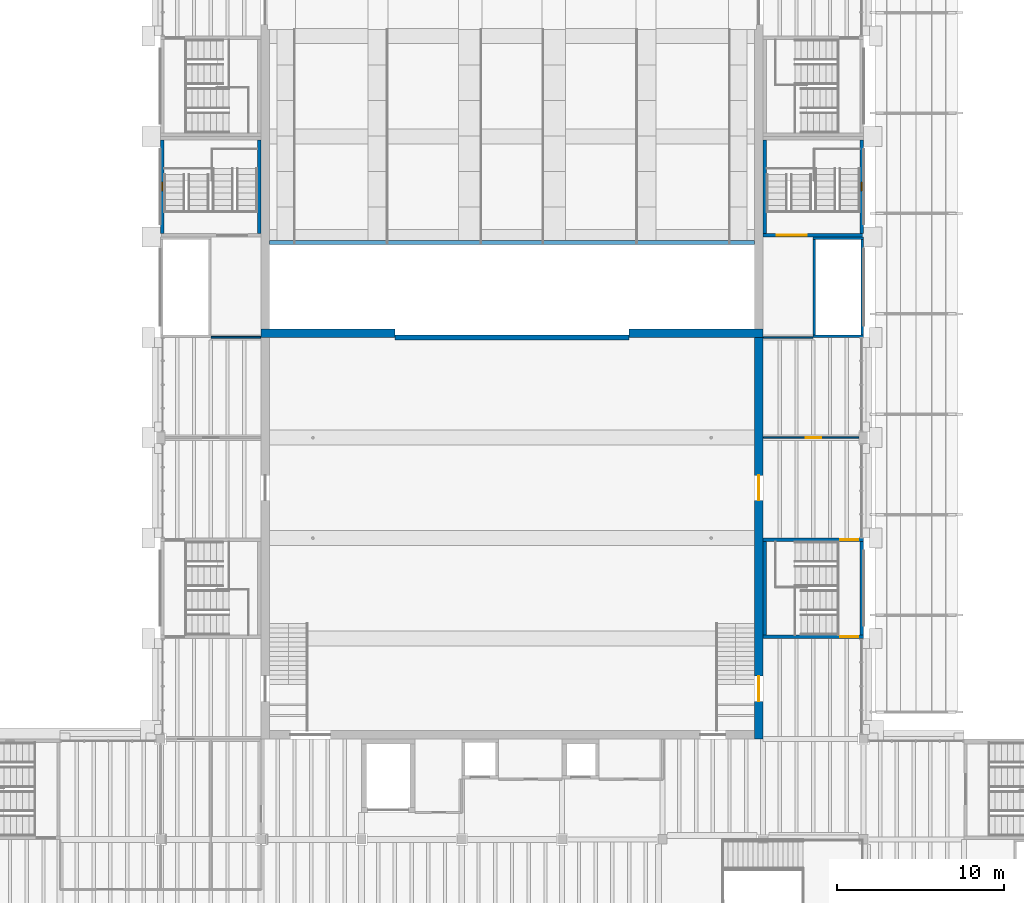
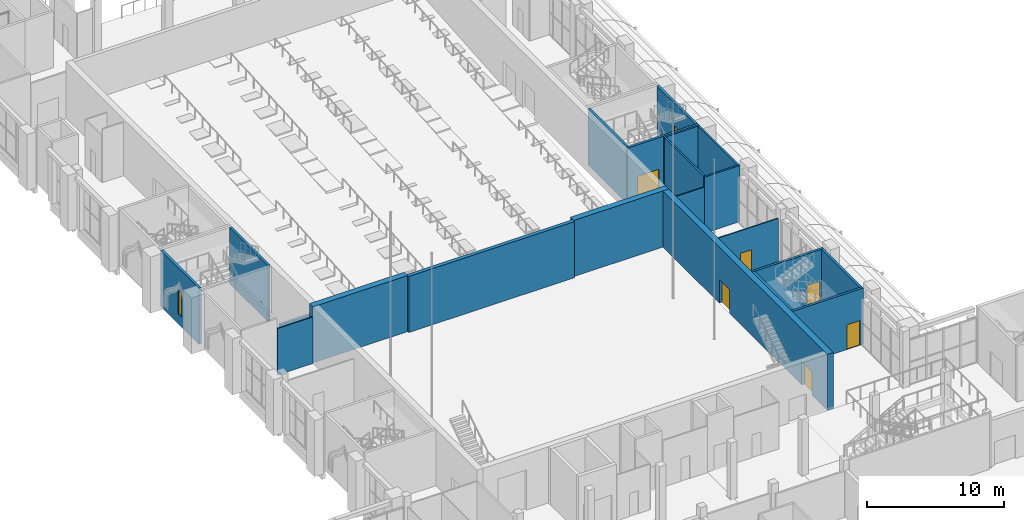
# One storey, part 40 of 80: 21 walls, 6 doors, 2 windows, 8 openings.
"""IFC4 building model written with IfcOpenShell, lengths in metres."""

from ifc_helpers import new_model, si_unit, direction, frame, frame_2d, origin, place, context, subcontext, project, spatial, rectangle, extrude, material, layer, layer_set, type_object, element, fill, save


model = new_model("IFC4")

# Units and contexts
model_context = context("Model", 3, precision=1e-05, world=origin(), true_north=direction((0.0, 1.0)))
body_context = subcontext(model_context, "Body", "Model", "MODEL_VIEW")
ifc_project = project(units=[si_unit("LENGTHUNIT", "METRE"), si_unit("AREAUNIT", "SQUARE_METRE"), si_unit("VOLUMEUNIT", "CUBIC_METRE"), si_unit("PLANEANGLEUNIT", "RADIAN"), si_unit("MASSUNIT", "GRAM", prefix="KILO")], contexts=[model_context])

# Site, building, storey
site_placement = place(None, origin())
site = spatial("IfcSite", under=ifc_project, at=site_placement, CompositionType="ELEMENT")
building_placement = place(site_placement, origin())
building = spatial("IfcBuilding", under=site, at=building_placement, Name="Saffron Lane Theatres", CompositionType="ELEMENT")
storey_placement = place(building_placement, frame((0.0, 0.0, 7.0)))
storey = spatial("IfcBuildingStorey", under=building, at=storey_placement, Name="L01", CompositionType="ELEMENT", Elevation=7.0)

# Walls
ifc_material_1 = material(Name="Plasterboard")
ifc_layer_1 = layer(ifc_material_1, 0.026, Name="lining")
ifc_material_2 = material(Name="Mineral wool insulation")
ifc_layer_2 = layer(ifc_material_2, 0.087, Name="stud zone")
ifc_material_3 = material(Name="Air cavity", Category="air")
ifc_layer_3 = layer(ifc_material_3, 0.1, ventilated=True, Name="air gap")
ifc_layer_4 = layer(ifc_material_2, 0.061, Name="stud zone")
ifc_layer_5 = layer(ifc_material_1, 0.026, Name="lining")
ifc_layer_set_1 = layer_set([ifc_layer_1, ifc_layer_2, ifc_layer_3, ifc_layer_4, ifc_layer_5], Name="Acoustic plasterboard wall")
wall_type_1 = type_object("IfcWallType", Name="IN-ACOUSTIC WALL 300", PredefinedType="PARTITIONING", material=ifc_layer_set_1)
wall_1_placement = place(storey_placement, frame((26.02001953125, 54.0, 0.0), z_axis=(0.0, 0.0, 1.0), x_axis=(1.0, 0.0, 0.0)))
element("IfcWall", 1, at=wall_1_placement, inside=storey, type_object=wall_type_1, Name="PW-L01-012", PredefinedType="PARTITIONING", context=body_context, shape_type="SweptSolid", body=[
    extrude(rectangle(XDim=13.9599609375, YDim=0.300048828125, at=frame_2d((6.97998046875, 0.0))), origin(), (0.0, 0.0, 1.0), 5.0),
])
ifc_material_4 = material(Name="Masonry block partition", Category="masonry")
ifc_layer_6 = layer(ifc_material_4, 0.110107421875)
ifc_layer_set_2 = layer_set([ifc_layer_6], Name="Masonry block partition")
wall_type_2 = type_object("IfcWallType", Name="IN-BLOCK PARTITION 110", PredefinedType="PARTITIONING", material=ifc_layer_set_2)
wall_2_placement = place(storey_placement, frame((15.02001953125, 54.0, 0.0), z_axis=(0.0, 0.0, 1.0), x_axis=(1.0, 0.0, 0.0)))
element("IfcWall", 2, at=wall_2_placement, inside=storey, type_object=wall_type_2, Name="PW-L01-029", PredefinedType="PARTITIONING", context=body_context, shape_type="SweptSolid", body=[
    extrude(rectangle(XDim=2.9599609375, YDim=0.110107421875, at=frame_2d((1.47998046875, 0.0))), origin(), (0.0, 0.0, 1.0), 4.14990234375),
])

# Wall, opening, door
ifc_material_5 = material(Name="Plasterboard on 90 mm steel studs", Category="steel")
ifc_layer_7 = layer(ifc_material_5, 0.090087890625)
ifc_layer_set_3 = layer_set([ifc_layer_7], Name="Plasterboard on 90 mm steel studs")
wall_type_3 = type_object("IfcWallType", Name="IN-STUD PARTITION 090", PredefinedType="PARTITIONING", material=ifc_layer_set_3)
wall_3_placement = place(storey_placement, frame((48.02001953125, 48.0, 0.0), z_axis=(0.0, 0.0, 1.0), x_axis=(1.0, 0.0, 0.0)))
wall_3 = element("IfcWall", 3, at=wall_3_placement, inside=storey, type_object=wall_type_3, Name="PW-L01-092", PredefinedType="PARTITIONING", context=body_context, shape_type="SweptSolid", body=[
    extrude(rectangle(XDim=5.7099609375, YDim=0.090087890625, at=frame_2d((2.85498046875, 0.0))), origin(), (0.0, 0.0, 1.0), 4.050048828125),
])
opening_1_placement = place(wall_3_placement, frame((2.530029296875, 0.0, 0.0)))
opening_1 = element("IfcOpeningElement", 4, at=opening_1_placement, cuts=wall_3, Name="Opening D01-16", PredefinedType="OPENING", context=body_context, shape_type="SweptSolid", body=[
    extrude(rectangle(XDim=0.919921875, YDim=2.0400390625, at=frame_2d((0.4599609375, 1.02001953125))), frame((0.0, 0.05517578125, 0.0), z_axis=(0.0, -1.0, 0.0), x_axis=(1.0, 0.0, 0.0)), (0.0, 0.0, 1.0), 0.110107421875),
])
ifc_material_6 = material(Name="Timber door leaf", Category="wood")
door_type_1 = type_object("IfcDoorType", Name="IN-DOOR 920x2040", OperationType="NOTDEFINED", PredefinedType="DOOR", material=ifc_material_6)
door_1_placement = place(opening_1_placement, origin())
door_1 = element("IfcDoor", 5, at=door_1_placement, inside=storey, type_object=door_type_1, Name="D01-16", OperationType="SINGLE_SWING_RIGHT", OverallHeight=2.0400390625, OverallWidth=0.919921875, PredefinedType="DOOR", context=body_context, shape_type="SweptSolid", body=[
    extrude(rectangle(XDim=0.919921875, YDim=2.0400390625, at=frame_2d((0.4599609375, 1.02001953125))), frame((0.0, 0.02490234375, 0.0), z_axis=(0.0, -1.0, 0.0), x_axis=(1.0, 0.0, 0.0)), (0.0, 0.0, 1.0), 0.050048828125),
])
fill(opening_1, door_1)

# Walls
wall_4_placement = place(storey_placement, frame((48.02001953125, 54.0, 0.0), z_axis=(0.0, 0.0, 1.0), x_axis=(1.0, 0.0, 0.0)))
element("IfcWall", 6, at=wall_4_placement, inside=storey, type_object=wall_type_3, Name="PW-L01-093", PredefinedType="PARTITIONING", context=body_context, shape_type="SweptSolid", body=[
    extrude(rectangle(XDim=2.9599609375, YDim=0.090087890625, at=frame_2d((1.47998046875, 0.0))), origin(), (0.0, 0.0, 1.0), 4.14990234375),
])
ifc_material_7 = material(Name="Concrete N50 (50 MPa)", Category="concrete")
ifc_layer_8 = layer(ifc_material_7, 0.22509765625)
ifc_layer_set_4 = layer_set([ifc_layer_8], Name="Concrete N50 (50 MPa)")
wall_type_4 = type_object("IfcWallType", Name="RC-BARRIER 225", PredefinedType="SOLIDWALL", material=ifc_layer_set_4)
wall_5_placement = place(storey_placement, frame((18.5, 59.66259765625, -1.238037109375), z_axis=(0.0, 0.0, 1.0), x_axis=(1.0, 0.0, 0.0)))
element("IfcWall", 7, at=wall_5_placement, inside=storey, type_object=wall_type_4, Name="W-PITBARRIER-L01", PredefinedType="SOLIDWALL", context=body_context, shape_type="SweptSolid", body=[
    extrude(rectangle(XDim=29.0, YDim=0.22509765625, at=frame_2d((14.5, 0.0))), origin(), (0.0, 0.0, 1.0), 1.10009765625),
])
ifc_material_8 = material(Name="Concrete N50 (50 MPa)", Category="concrete")
ifc_layer_9 = layer(ifc_material_8, 0.14990234375)
ifc_layer_set_5 = layer_set([ifc_layer_9], Name="Concrete N50 (50 MPa)")
wall_type_5 = type_object("IfcWallType", Name="RC-CORE 150", PredefinedType="SHEAR", material=ifc_layer_set_5)
for number, where, z_axis, x_axis, name in (
    (8, (51.0, 59.925048828125, 0.0), (0.0, 0.0, 1.0), (1.0, 0.0, 0.0), "W-R4-N-L01"),
    (9, (51.0, 54.074951171875, 0.0), (0.0, 0.0, 1.0), (1.0, 0.0, 0.0), "W-R4-S-L01"),
):
    element("IfcWall", number, at=place(storey_placement, frame(where, z_axis=z_axis, x_axis=x_axis)), inside=storey, type_object=wall_type_5, Name=name, PredefinedType="SHEAR", context=body_context, shape_type="SweptSolid", body=[
        extrude(rectangle(XDim=3.0, YDim=0.14990234375, at=frame_2d((1.5, 0.0))), origin(), (0.0, 0.0, 1.0), 5.0),
    ])
wall_6_placement = place(storey_placement, frame((51.074951171875, 54.14990234375, 0.0), z_axis=(0.0, 0.0, 1.0), x_axis=(0.0, 1.0, 0.0)))
element("IfcWall", 10, at=wall_6_placement, inside=storey, type_object=wall_type_5, Name="W-R4-W-L01", PredefinedType="SHEAR", context=body_context, shape_type="SweptSolid", body=[
    extrude(rectangle(XDim=5.7001953125, YDim=0.14990234375, at=frame_2d((2.85009765625, 0.0))), origin(), (0.0, 0.0, 1.0), 5.0),
])
ifc_material_9 = material(Name="Concrete N50 (50 MPa)", Category="concrete")
ifc_layer_10 = layer(ifc_material_9, 0.199951171875)
ifc_layer_set_6 = layer_set([ifc_layer_10], Name="Concrete N50 (50 MPa)")
wall_type_6 = type_object("IfcWallType", Name="RC-CORE 200", PredefinedType="SHEAR", material=ifc_layer_set_6)
wall_7_placement = place(storey_placement, frame((17.89990234375, 60.199951171875, 0.0), z_axis=(0.0, 0.0, 1.0), x_axis=(0.0, 1.0, 0.0)))
element("IfcWall", 11, at=wall_7_placement, inside=storey, type_object=wall_type_6, Name="W-ST10-E-L01", PredefinedType="SHEAR", context=body_context, shape_type="SweptSolid", body=[
    extrude(rectangle(XDim=5.60009765625, YDim=0.199951171875, at=frame_2d((2.800048828125, 0.0))), origin(), (0.0, 0.0, 1.0), 5.0),
])

# Wall, opening, door
wall_8_placement = place(storey_placement, frame((48.0, 60.10009765625, 0.0), z_axis=(0.0, 0.0, 1.0), x_axis=(1.0, 0.0, 0.0)))
wall_8 = element("IfcWall", 12, at=wall_8_placement, inside=storey, type_object=wall_type_6, Name="W-ST11-S-L01", PredefinedType="SHEAR", context=body_context, shape_type="SweptSolid", body=[
    extrude(rectangle(XDim=6.0, YDim=0.199951171875, at=frame_2d((3.0, 0.0))), origin(), (0.0, 0.0, 1.0), 5.0),
])
opening_2_placement = place(wall_8_placement, frame((0.824951171875, 0.0, 0.0)))
opening_2 = element("IfcOpeningElement", 13, at=opening_2_placement, cuts=wall_8, Name="Opening D01-38", PredefinedType="OPENING", context=body_context, shape_type="SweptSolid", body=[
    extrude(rectangle(XDim=1.800048828125, YDim=2.199951171875, at=frame_2d((0.89990234375, 1.10009765625))), frame((0.0, 0.10986328125, 0.0), z_axis=(0.0, -1.0, 0.0), x_axis=(1.0, 0.0, 0.0)), (0.0, 0.0, 1.0), 0.219970703125),
])
ifc_material_10 = material(Name="Steel faced fire door leaf", Category="steel")
door_type_2 = type_object("IfcDoorType", Name="IN-DOOR 1800x2200 FD120", OperationType="DOUBLE_DOOR_SINGLE_SWING", PredefinedType="DOOR", material=ifc_material_10)
door_2_placement = place(opening_2_placement, origin())
door_2 = element("IfcDoor", 14, at=door_2_placement, inside=storey, type_object=door_type_2, Name="D01-38", OperationType="DOUBLE_DOOR_SINGLE_SWING", OverallHeight=2.199951171875, OverallWidth=1.800048828125, PredefinedType="DOOR", context=body_context, shape_type="SweptSolid", body=[
    extrude(rectangle(XDim=1.800048828125, YDim=2.199951171875, at=frame_2d((0.89990234375, 1.10009765625))), frame((0.0, 0.02490234375, 0.0), z_axis=(0.0, -1.0, 0.0), x_axis=(1.0, 0.0, 0.0)), (0.0, 0.0, 1.0), 0.050048828125),
])
fill(opening_2, door_2)

# Wall
wall_9_placement = place(storey_placement, frame((48.10009765625, 60.199951171875, 0.0), z_axis=(0.0, 0.0, 1.0), x_axis=(0.0, 1.0, 0.0)))
element("IfcWall", 15, at=wall_9_placement, inside=storey, type_object=wall_type_6, Name="W-ST11-W-L01", PredefinedType="SHEAR", context=body_context, shape_type="SweptSolid", body=[
    extrude(rectangle(XDim=5.60009765625, YDim=0.199951171875, at=frame_2d((2.800048828125, 0.0))), origin(), (0.0, 0.0, 1.0), 5.0),
])

# Wall, opening, door
wall_10_placement = place(storey_placement, frame((48.0, 41.89990234375, 0.0), z_axis=(0.0, 0.0, 1.0), x_axis=(1.0, 0.0, 0.0)))
wall_10 = element("IfcWall", 16, at=wall_10_placement, inside=storey, type_object=wall_type_6, Name="W-ST6-N-L01", PredefinedType="SHEAR", context=body_context, shape_type="SweptSolid", body=[
    extrude(rectangle(XDim=6.0, YDim=0.199951171875, at=frame_2d((3.0, 0.0))), origin(), (0.0, 0.0, 1.0), 5.0),
])
opening_3_placement = place(wall_10_placement, frame((4.60009765625, 0.0, 0.0)))
opening_3 = element("IfcOpeningElement", 17, at=opening_3_placement, cuts=wall_10, Name="Opening D01-42", PredefinedType="OPENING", context=body_context, shape_type="SweptSolid", body=[
    extrude(rectangle(XDim=1.10009765625, YDim=2.199951171875, at=frame_2d((0.550048828125, 1.10009765625))), frame((0.0, 0.10986328125, 0.0), z_axis=(0.0, -1.0, 0.0), x_axis=(1.0, 0.0, 0.0)), (0.0, 0.0, 1.0), 0.219970703125),
])
ifc_material_11 = material(Name="Steel faced fire door leaf", Category="steel")
door_type_3 = type_object("IfcDoorType", Name="IN-DOOR 1100x2200 FD120", OperationType="NOTDEFINED", PredefinedType="DOOR", material=ifc_material_11)
door_3_placement = place(opening_3_placement, frame((1.10009765625, 0.0, 0.0), z_axis=(0.0, 0.0, 1.0), x_axis=(-1.0, 0.0, 0.0)))
door_3 = element("IfcDoor", 18, at=door_3_placement, inside=storey, type_object=door_type_3, Name="D01-42", OperationType="SINGLE_SWING_RIGHT", OverallHeight=2.199951171875, OverallWidth=1.10009765625, PredefinedType="DOOR", context=body_context, shape_type="SweptSolid", body=[
    extrude(rectangle(XDim=1.10009765625, YDim=2.199951171875, at=frame_2d((0.550048828125, 1.10009765625))), frame((0.0, 0.02490234375, 0.0), z_axis=(0.0, -1.0, 0.0), x_axis=(1.0, 0.0, 0.0)), (0.0, 0.0, 1.0), 0.050048828125),
])
fill(opening_3, door_3)

wall_11_placement = place(storey_placement, frame((48.0, 36.10009765625, 0.0), z_axis=(0.0, 0.0, 1.0), x_axis=(1.0, 0.0, 0.0)))
wall_11 = element("IfcWall", 19, at=wall_11_placement, inside=storey, type_object=wall_type_6, Name="W-ST6-S-L01", PredefinedType="SHEAR", context=body_context, shape_type="SweptSolid", body=[
    extrude(rectangle(XDim=6.0, YDim=0.199951171875, at=frame_2d((3.0, 0.0))), origin(), (0.0, 0.0, 1.0), 5.0),
])
opening_4_placement = place(wall_11_placement, frame((4.60009765625, 0.0, 0.0)))
opening_4 = element("IfcOpeningElement", 20, at=opening_4_placement, cuts=wall_11, Name="Opening D01-41", PredefinedType="OPENING", context=body_context, shape_type="SweptSolid", body=[
    extrude(rectangle(XDim=1.10009765625, YDim=2.199951171875, at=frame_2d((0.550048828125, 1.10009765625))), frame((0.0, 0.10986328125, 0.0), z_axis=(0.0, -1.0, 0.0), x_axis=(1.0, 0.0, 0.0)), (0.0, 0.0, 1.0), 0.219970703125),
])
door_4_placement = place(opening_4_placement, origin())
door_4 = element("IfcDoor", 21, at=door_4_placement, inside=storey, type_object=door_type_3, Name="D01-41", OperationType="SINGLE_SWING_LEFT", OverallHeight=2.199951171875, OverallWidth=1.10009765625, PredefinedType="DOOR", context=body_context, shape_type="SweptSolid", body=[
    extrude(rectangle(XDim=1.10009765625, YDim=2.199951171875, at=frame_2d((0.550048828125, 1.10009765625))), frame((0.0, 0.02490234375, 0.0), z_axis=(0.0, -1.0, 0.0), x_axis=(1.0, 0.0, 0.0)), (0.0, 0.0, 1.0), 0.050048828125),
])
fill(opening_4, door_4)

# Walls
wall_12_placement = place(storey_placement, frame((48.10009765625, 36.199951171875, 0.0), z_axis=(0.0, 0.0, 1.0), x_axis=(0.0, 1.0, 0.0)))
element("IfcWall", 22, at=wall_12_placement, inside=storey, type_object=wall_type_6, Name="W-ST6-W-L01", PredefinedType="SHEAR", context=body_context, shape_type="SweptSolid", body=[
    extrude(rectangle(XDim=5.60009765625, YDim=0.199951171875, at=frame_2d((2.800048828125, 0.0))), origin(), (0.0, 0.0, 1.0), 5.0),
])
ifc_material_12 = material(Name="Concrete N50 (50 MPa)", Category="concrete")
ifc_layer_11 = layer(ifc_material_12, 0.14990234375)
ifc_layer_set_7 = layer_set([ifc_layer_11], Name="Concrete N50 (50 MPa)")
wall_type_7 = type_object("IfcWallType", Name="RC-CORE EXTERNAL 150", PredefinedType="SHEAR", material=ifc_layer_set_7)
wall_13_placement = place(storey_placement, frame((53.925048828125, 54.14990234375, 0.0), z_axis=(0.0, 0.0, 1.0), x_axis=(0.0, 1.0, 0.0)))
element("IfcWall", 23, at=wall_13_placement, inside=storey, type_object=wall_type_7, Name="W-R4-E-L01", PredefinedType="SHEAR", context=body_context, shape_type="SweptSolid", body=[
    extrude(rectangle(XDim=5.7001953125, YDim=0.14990234375, at=frame_2d((2.85009765625, 0.0))), origin(), (0.0, 0.0, 1.0), 5.0),
])

# Wall, opening, window
ifc_material_13 = material(Name="Concrete N50 (50 MPa)", Category="concrete")
ifc_layer_12 = layer(ifc_material_13, 0.199951171875)
ifc_layer_set_8 = layer_set([ifc_layer_12], Name="Concrete N50 (50 MPa)")
wall_type_8 = type_object("IfcWallType", Name="RC-CORE EXTERNAL 200", PredefinedType="SHEAR", material=ifc_layer_set_8)
wall_14_placement = place(storey_placement, frame((12.10009765625, 60.199951171875, 0.0), z_axis=(0.0, 0.0, 1.0), x_axis=(0.0, 1.0, 0.0)))
wall_14 = element("IfcWall", 24, at=wall_14_placement, inside=storey, type_object=wall_type_8, Name="W-ST10-W-L01", PredefinedType="SHEAR", context=body_context, shape_type="SweptSolid", body=[
    extrude(rectangle(XDim=5.60009765625, YDim=0.199951171875, at=frame_2d((2.800048828125, 0.0))), origin(), (0.0, 0.0, 1.0), 5.0),
])
opening_5_placement = place(wall_14_placement, frame((2.550048828125, 0.0, 0.89990234375)))
opening_5 = element("IfcOpeningElement", 25, at=opening_5_placement, cuts=wall_14, Name="Opening WN01-011", PredefinedType="OPENING", context=body_context, shape_type="SweptSolid", body=[
    extrude(rectangle(XDim=0.5, YDim=2.10009765625, at=frame_2d((0.25, 1.050048828125))), frame((0.0, 0.10986328125, 0.0), z_axis=(0.0, -1.0, 0.0), x_axis=(1.0, 0.0, 0.0)), (0.0, 0.0, 1.0), 0.219970703125),
])
ifc_material_14 = material(Name="Aluminium", Category="aluminium")
window_type = type_object("IfcWindowType", Name="EX-WINDOW 500x2100", PartitioningType="SINGLE_PANEL", PredefinedType="WINDOW", material=ifc_material_14)
window_1_placement = place(opening_5_placement, origin())
window_1 = element("IfcWindow", 26, at=window_1_placement, inside=storey, type_object=window_type, Name="Stair light ST10 L01", OverallHeight=2.10009765625, OverallWidth=0.5, PartitioningType="SINGLE_PANEL", PredefinedType="WINDOW", context=body_context, shape_type="SweptSolid", body=[
    extrude(rectangle(XDim=0.5, YDim=2.10009765625, at=frame_2d((0.25, 1.050048828125))), frame((0.0, 0.030029296875, 0.0), z_axis=(0.0, -1.0, 0.0), x_axis=(1.0, 0.0, 0.0)), (0.0, 0.0, 1.0), 0.06005859375),
])
fill(opening_5, window_1)

wall_15_placement = place(storey_placement, frame((53.89990234375, 60.199951171875, 0.0), z_axis=(0.0, 0.0, 1.0), x_axis=(0.0, 1.0, 0.0)))
wall_15 = element("IfcWall", 27, at=wall_15_placement, inside=storey, type_object=wall_type_8, Name="W-ST11-E-L01", PredefinedType="SHEAR", context=body_context, shape_type="SweptSolid", body=[
    extrude(rectangle(XDim=5.60009765625, YDim=0.199951171875, at=frame_2d((2.800048828125, 0.0))), origin(), (0.0, 0.0, 1.0), 5.0),
])
opening_6_placement = place(wall_15_placement, frame((2.550048828125, 0.0, 0.89990234375)))
opening_6 = element("IfcOpeningElement", 28, at=opening_6_placement, cuts=wall_15, Name="Opening WN01-012", PredefinedType="OPENING", context=body_context, shape_type="SweptSolid", body=[
    extrude(rectangle(XDim=0.5, YDim=2.10009765625, at=frame_2d((0.25, 1.050048828125))), frame((0.0, 0.10986328125, 0.0), z_axis=(0.0, -1.0, 0.0), x_axis=(1.0, 0.0, 0.0)), (0.0, 0.0, 1.0), 0.219970703125),
])
window_2_placement = place(opening_6_placement, origin())
window_2 = element("IfcWindow", 29, at=window_2_placement, inside=storey, type_object=window_type, Name="Stair light ST11 L01", OverallHeight=2.10009765625, OverallWidth=0.5, PartitioningType="SINGLE_PANEL", PredefinedType="WINDOW", context=body_context, shape_type="SweptSolid", body=[
    extrude(rectangle(XDim=0.5, YDim=2.10009765625, at=frame_2d((0.25, 1.050048828125))), frame((0.0, 0.030029296875, 0.0), z_axis=(0.0, -1.0, 0.0), x_axis=(1.0, 0.0, 0.0)), (0.0, 0.0, 1.0), 0.06005859375),
])
fill(opening_6, window_2)

# Walls
wall_16_placement = place(storey_placement, frame((53.89990234375, 36.199951171875, 0.0), z_axis=(0.0, 0.0, 1.0), x_axis=(0.0, 1.0, 0.0)))
element("IfcWall", 30, at=wall_16_placement, inside=storey, type_object=wall_type_8, Name="W-ST6-E-L01", PredefinedType="SHEAR", context=body_context, shape_type="SweptSolid", body=[
    extrude(rectangle(XDim=5.60009765625, YDim=0.199951171875, at=frame_2d((2.800048828125, 0.0))), origin(), (0.0, 0.0, 1.0), 5.0),
])
ifc_material_15 = material(Name="Concrete N50 (50 MPa)", Category="concrete")
ifc_layer_13 = layer(ifc_material_15, 0.5)
ifc_layer_set_9 = layer_set([ifc_layer_13], Name="Concrete N50 (50 MPa)")
wall_type_9 = type_object("IfcWallType", Name="RC-PROSCENIUM 500", PredefinedType="SHEAR", material=ifc_layer_set_9)
for number, where, z_axis, x_axis, name in (
    (31, (18.0, 54.25, 0.0), (0.0, 0.0, 1.0), (1.0, 0.0, 0.0), "W-PROSC-L01-A"),
    (32, (40.0, 54.25, 0.0), (0.0, 0.0, 1.0), (1.0, 0.0, 0.0), "W-PROSC-L01-B"),
):
    element("IfcWall", number, at=place(storey_placement, frame(where, z_axis=z_axis, x_axis=x_axis)), inside=storey, type_object=wall_type_9, Name=name, PredefinedType="SHEAR", context=body_context, shape_type="SweptSolid", body=[
        extrude(rectangle(XDim=8.0, YDim=0.5, at=frame_2d((4.0, 0.0))), origin(), (0.0, 0.0, 1.0), 5.0),
    ])

# Wall, openings, doors
ifc_material_16 = material(Name="Concrete N50 (50 MPa)", Category="concrete")
ifc_layer_14 = layer(ifc_material_16, 0.5)
ifc_layer_set_10 = layer_set([ifc_layer_14], Name="Concrete N50 (50 MPa)")
wall_type_10 = type_object("IfcWallType", Name="RC-WALL 500", PredefinedType="SHEAR", material=ifc_layer_set_10)
wall_17_placement = place(storey_placement, frame((47.75, 30.0, 0.0), z_axis=(0.0, 0.0, 1.0), x_axis=(0.0, 1.0, 0.0)))
wall_17 = element("IfcWall", 33, at=wall_17_placement, inside=storey, type_object=wall_type_10, Name="W-STGS-E-L01", PredefinedType="SHEAR", context=body_context, shape_type="SweptSolid", body=[
    extrude(rectangle(XDim=24.0, YDim=0.5, at=frame_2d((12.0, 0.0))), origin(), (0.0, 0.0, 1.0), 5.0),
])
opening_7_placement = place(wall_17_placement, frame((2.25, 0.0, 0.0)))
opening_7 = element("IfcOpeningElement", 34, at=opening_7_placement, cuts=wall_17, Name="Opening D01-10", PredefinedType="OPENING", context=body_context, shape_type="SweptSolid", body=[
    extrude(rectangle(XDim=1.5, YDim=2.10009765625, at=frame_2d((0.75, 1.050048828125))), frame((0.0, 0.260009765625, 0.0), z_axis=(0.0, -1.0, 0.0), x_axis=(1.0, 0.0, 0.0)), (0.0, 0.0, 1.0), 0.52001953125),
])
opening_8_placement = place(wall_17_placement, frame((14.25, 0.0, 0.0)))
opening_8 = element("IfcOpeningElement", 35, at=opening_8_placement, cuts=wall_17, Name="Opening D01-12", PredefinedType="OPENING", context=body_context, shape_type="SweptSolid", body=[
    extrude(rectangle(XDim=1.5, YDim=2.10009765625, at=frame_2d((0.75, 1.050048828125))), frame((0.0, 0.260009765625, 0.0), z_axis=(0.0, -1.0, 0.0), x_axis=(1.0, 0.0, 0.0)), (0.0, 0.0, 1.0), 0.52001953125),
])
ifc_material_17 = material(Name="Steel faced fire door leaf", Category="steel")
door_type_4 = type_object("IfcDoorType", Name="IN-DOOR 1500x2100 FD120", OperationType="DOUBLE_DOOR_SINGLE_SWING", PredefinedType="DOOR", material=ifc_material_17)
door_5_placement = place(opening_7_placement, frame((1.5, 0.0, 0.0), z_axis=(0.0, 0.0, 1.0), x_axis=(-1.0, 0.0, 0.0)))
door_5 = element("IfcDoor", 36, at=door_5_placement, inside=storey, type_object=door_type_4, Name="D01-10", OperationType="DOUBLE_DOOR_SINGLE_SWING", OverallHeight=2.10009765625, OverallWidth=1.5, PredefinedType="DOOR", context=body_context, shape_type="SweptSolid", body=[
    extrude(rectangle(XDim=1.5, YDim=2.10009765625, at=frame_2d((0.75, 1.050048828125))), frame((0.0, 0.02490234375, 0.0), z_axis=(0.0, -1.0, 0.0), x_axis=(1.0, 0.0, 0.0)), (0.0, 0.0, 1.0), 0.050048828125),
])
fill(opening_7, door_5)
door_6_placement = place(opening_8_placement, frame((1.5, 0.0, 0.0), z_axis=(0.0, 0.0, 1.0), x_axis=(-1.0, 0.0, 0.0)))
door_6 = element("IfcDoor", 37, at=door_6_placement, inside=storey, type_object=door_type_4, Name="D01-12", OperationType="DOUBLE_DOOR_SINGLE_SWING", OverallHeight=2.10009765625, OverallWidth=1.5, PredefinedType="DOOR", context=body_context, shape_type="SweptSolid", body=[
    extrude(rectangle(XDim=1.5, YDim=2.10009765625, at=frame_2d((0.75, 1.050048828125))), frame((0.0, 0.02490234375, 0.0), z_axis=(0.0, -1.0, 0.0), x_axis=(1.0, 0.0, 0.0)), (0.0, 0.0, 1.0), 0.050048828125),
])
fill(opening_8, door_6)

save(model, "model.ifc")
